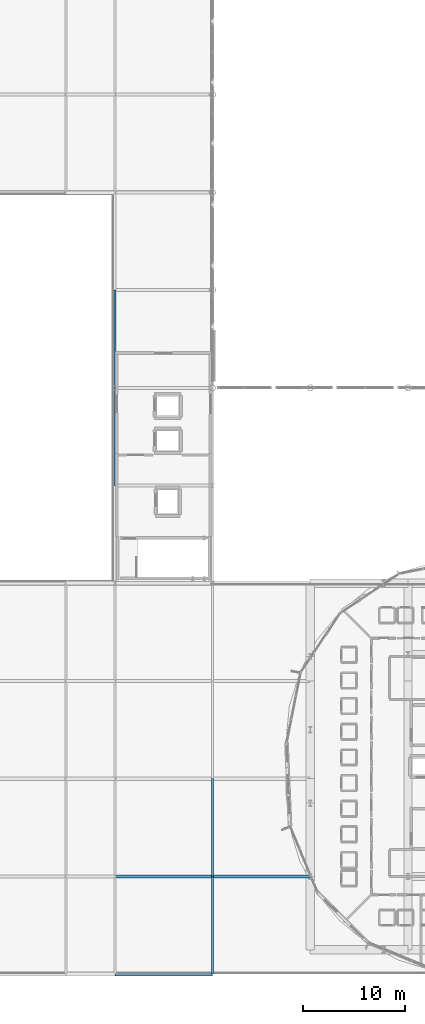
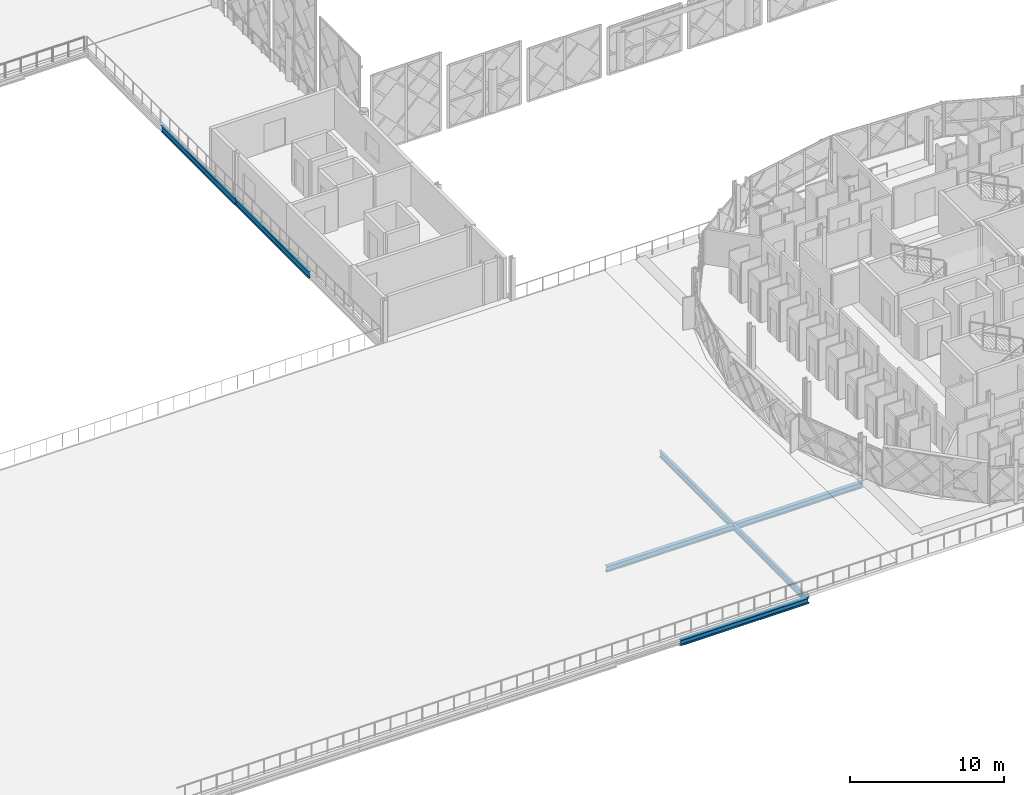
# One storey, part 9 of 53: 7 beams.
"""IFC4 building model written with IfcOpenShell, lengths in metres."""

import ifcopenshell
import ifcopenshell.guid

model = None  # the IFC model being written
_history = None  # IfcOwnerHistory: only IFC2X3 demands one
_inside = {}  # id of a spatial element -> (the spatial element, [elements in it])
_under = {}  # id of a project, library or spatial element -> (it, [spatial elements below it])
_declared = {}  # id of a project -> (the project, [libraries it declares])
_typed = {}  # id of a type object -> (the type object, [elements of that type])
_made_of = {}  # id of a material, layer set ... -> (it, [elements and type objects made of it])


def new_model(schema):
    """Start an empty IFC model of exactly this schema.

    Asked for "IFC4X3", IfcOpenShell would pick the latest addendum, in which some entities
    have other attributes; the version numbers below select the first issue.
    IFC2X3 requires an IfcOwnerHistory on every rooted entity: one is made here for all.
    """
    global model, _history
    if schema == "IFC4X3":
        model = ifcopenshell.file(schema_version=(4, 3, 0, 0))
    else:
        model = ifcopenshell.file(schema=schema)
    _inside.clear()
    _under.clear()
    _declared.clear()
    _typed.clear()
    _made_of.clear()
    _history = None
    if model.schema == "IFC2X3":
        org = make("IfcOrganization", Name="unknown")
        user = make(
            "IfcPersonAndOrganization",
            ThePerson=make("IfcPerson", FamilyName="unknown"),
            TheOrganization=org,
        )
        app = make(
            "IfcApplication",
            ApplicationDeveloper=org,
            Version="unknown",
            ApplicationFullName="unknown",
            ApplicationIdentifier="unknown",
        )
        _history = make(
            "IfcOwnerHistory",
            OwningUser=user,
            OwningApplication=app,
            ChangeAction="ADDED",
            CreationDate=0,
        )
    return model


def make(cls, **values):
    """One entity of the class cls with the attributes given. An attribute that is None is left unset."""
    return model.create_entity(
        cls, **{name: value for name, value in values.items() if value is not None}
    )


def rooted(cls, **values):
    """An entity with a GlobalId (a new one), such as an element, a storey or a relation."""
    return make(cls, GlobalId=ifcopenshell.guid.new(), OwnerHistory=_history, **values)


def si_unit(unit_type, name, prefix=None):
    """IfcSIUnit, for example si_unit("LENGTHUNIT", "METRE", prefix="MILLI")."""
    return make("IfcSIUnit", UnitType=unit_type, Prefix=prefix, Name=name)


def assignment(units):
    """IfcUnitAssignment: the units of a project."""
    return None if units is None else make("IfcUnitAssignment", Units=units)


def point(xyz):
    """IfcCartesianPoint."""
    return None if xyz is None else make("IfcCartesianPoint", Coordinates=xyz)


def direction(xyz):
    """IfcDirection."""
    return None if xyz is None else make("IfcDirection", DirectionRatios=xyz)


def frame(location, z_axis=None, x_axis=None):
    """IfcAxis2Placement3D, a coordinate frame: its origin and axes. An axis left out is left unset."""
    return make(
        "IfcAxis2Placement3D",
        Location=point(location),
        Axis=direction(z_axis),
        RefDirection=direction(x_axis),
    )


def frame_2d(location, x_axis=None):
    """IfcAxis2Placement2D, a coordinate frame in the plane: its origin and x axis."""
    return make(
        "IfcAxis2Placement2D", Location=point(location), RefDirection=direction(x_axis)
    )


def origin():
    """The frame at (0, 0, 0) with its axes left unset."""
    return frame((0.0, 0.0, 0.0))


def origin_2d():
    """The frame at (0, 0) in the plane with its x axis left unset."""
    return frame_2d((0.0, 0.0))


def place(relative_to, where):
    """IfcLocalPlacement: puts the frame where relative to a parent placement (None: the world)."""
    return make(
        "IfcLocalPlacement", PlacementRelTo=relative_to, RelativePlacement=where
    )


def context(
    kind, dimensions, precision=None, world=None, true_north=None, identifier=None
):
    """IfcGeometricRepresentationContext, for example the 3D "Model" context."""
    return make(
        "IfcGeometricRepresentationContext",
        ContextIdentifier=identifier,
        ContextType=kind,
        CoordinateSpaceDimension=dimensions,
        Precision=precision,
        WorldCoordinateSystem=world,
        TrueNorth=true_north,
    )


def subcontext(parent, identifier, kind, view, scale=None):
    """IfcGeometricRepresentationSubContext, for example "Body" below "Model"."""
    return make(
        "IfcGeometricRepresentationSubContext",
        ContextIdentifier=identifier,
        ContextType=kind,
        ParentContext=parent,
        TargetScale=scale,
        TargetView=view,
    )


def project(units=None, contexts=None):
    """IfcProject with its units and contexts."""
    return rooted(
        "IfcProject",
        Name="project",
        RepresentationContexts=contexts,
        UnitsInContext=assignment(units),
    )


def spatial(cls, under=None, at=None, **own):
    """A site, building, storey or space (cls), placed at a placement, below another one or the project."""
    s = rooted(cls, ObjectPlacement=at, **own)
    if under is not None:
        _under.setdefault(under.id(), (under, []))[1].append(s)
    return s


def profile(cls, at=None, kind="AREA", **sizes):
    """A parametric profile (cls). Its sizes go by their IFC names, for example OverallWidth=200.0."""
    return make(cls, ProfileType=kind, Position=at, **sizes)


def i_section(**sizes):
    """IfcIShapeProfileDef."""
    return profile("IfcIShapeProfileDef", **sizes)


def extrude(swept, where, along, depth):
    """IfcExtrudedAreaSolid: the profile swept, set in the frame where, extruded along a direction by depth."""
    return make(
        "IfcExtrudedAreaSolid",
        SweptArea=swept,
        Position=where,
        ExtrudedDirection=direction(along),
        Depth=depth,
    )


def shape(context_of_items, identifier, shape_type, items):
    """IfcShapeRepresentation: the items that make up one representation, for example the "Body"."""
    return make(
        "IfcShapeRepresentation",
        ContextOfItems=context_of_items,
        RepresentationIdentifier=identifier,
        RepresentationType=shape_type,
        Items=items,
    )


def material(Name=None, Category=None):
    """IfcMaterial."""
    return make("IfcMaterial", Name=Name, Category=Category)


def material_profile(
    of_material, cross_section, Name=None, Category=None, Priority=None
):
    """IfcMaterialProfile: a cross section and its material."""
    return make(
        "IfcMaterialProfile",
        Name=Name,
        Material=of_material,
        Profile=cross_section,
        Priority=Priority,
        Category=Category,
    )


def profile_set(profiles, Name=None, composite=None):
    """IfcMaterialProfileSet."""
    return make(
        "IfcMaterialProfileSet",
        Name=Name,
        MaterialProfiles=profiles,
        CompositeProfile=composite,
    )


def made_of(thing, what):
    """Note that an element or type object is made of a material, layer set ...; save() writes the relation."""
    if what is not None:
        _made_of.setdefault(what.id(), (what, []))[1].append(thing)
    return thing


def type_object(cls, material=None, **own):
    """A type object (cls), such as IfcWallType, which elements share."""
    return made_of(rooted(cls, **own), material)


def element(
    cls,
    number,
    at=None,
    inside=None,
    cuts=None,
    type_object=None,
    material=None,
    context=None,
    identifier="Body",
    shape_type=None,
    held_by="IfcProductDefinitionShape",
    body=None,
    shapes=None,
    **own,
):
    """One element of the class cls, such as IfcWall. Its Tag is "e" and its number.

    at: its placement. inside: the storey or other place that contains it. cuts: it is an
    opening in that element (IfcRelVoidsElement). A single representation is given by context,
    identifier, shape_type and body (its items); several are given by shapes. held_by: the class
    of the entity that holds the representations. save() writes the other relations.
    """
    e = rooted(cls, Tag="e%d" % number, ObjectPlacement=at, **own)
    if body is not None:
        shapes = [shape(context, identifier, shape_type, body)]
    if shapes is not None:
        e.Representation = make(held_by, Representations=shapes)
    if inside is not None:
        _inside.setdefault(inside.id(), (inside, []))[1].append(e)
    if cuts is not None:
        rooted(
            "IfcRelVoidsElement", RelatingBuildingElement=cuts, RelatedOpeningElement=e
        )
    if type_object is not None:
        _typed.setdefault(type_object.id(), (type_object, []))[1].append(e)
    return made_of(e, material)


def aggregate(whole, parts):
    """IfcRelAggregates: a whole, such as a stair, and the parts it consists of."""
    return rooted("IfcRelAggregates", RelatingObject=whole, RelatedObjects=parts)


def save(model, path):
    """Write the relations noted so far, then the file.

    IfcRelAggregates (storeys below a building ...), IfcRelContainedInSpatialStructure (elements
    in a storey), IfcRelDefinesByType, IfcRelAssociatesMaterial and IfcRelDeclares: one each for
    every whole, place, type object, material and project.
    """
    for whole, parts in _under.values():
        aggregate(whole, parts)
    for where, things in _inside.values():
        rooted(
            "IfcRelContainedInSpatialStructure",
            RelatedElements=things,
            RelatingStructure=where,
        )
    for kind, things in _typed.values():
        rooted("IfcRelDefinesByType", RelatedObjects=things, RelatingType=kind)
    for what, things in _made_of.values():
        rooted("IfcRelAssociatesMaterial", RelatedObjects=things, RelatingMaterial=what)
    for by, libraries in _declared.values():
        rooted("IfcRelDeclares", RelatingContext=by, RelatedDefinitions=libraries)
    model.write(path)


model = new_model("IFC4")

# Units and contexts
model_context = context("Model", 3, precision=1e-05, world=origin(), true_north=direction((0.0, 1.0)))
body_context = subcontext(model_context, "Body", "Model", "MODEL_VIEW")
ifc_project = project(units=[si_unit("LENGTHUNIT", "METRE"), si_unit("AREAUNIT", "SQUARE_METRE"), si_unit("VOLUMEUNIT", "CUBIC_METRE"), si_unit("PLANEANGLEUNIT", "RADIAN"), si_unit("MASSUNIT", "GRAM", prefix="KILO")], contexts=[model_context])

# Site, building, storey
site_placement = place(None, origin())
site = spatial("IfcSite", under=ifc_project, at=site_placement, CompositionType="ELEMENT")
building_placement = place(site_placement, origin())
building = spatial("IfcBuilding", under=site, at=building_placement, Name="Zevrakil Square Congress Hotel", CompositionType="ELEMENT")
storey_placement = place(building_placement, frame((0.0, 0.0, 14.699951171875)))
storey = spatial("IfcBuildingStorey", under=building, at=storey_placement, Name="L04", CompositionType="ELEMENT", Elevation=14.699951171875)

# Beams
ifc_material_1 = material(Name="Steel S355", Category="steel")
ifc_material_profile_1 = material_profile(ifc_material_1, i_section(OverallWidth=0.300048828125, OverallDepth=0.43994140625, WebThickness=0.011474609375, FlangeThickness=0.02099609375, FilletRadius=0.027099609375, at=origin_2d()), Name="HEA 450")
ifc_profile_set_1 = profile_set([ifc_material_profile_1], Name="Steel S355")
beam_type_1 = type_object("IfcBeamType", Name="BM-HEA450", PredefinedType="BEAM", material=ifc_profile_set_1)
for number, where, z_axis, x_axis, name in (
    (1, (108.0, 7.199951171875, -0.47998046875), (1.0, 0.0, 0.0), (0.0, 1.0, 0.0), "L04 primary girder BX-1198"),
    (2, (108.0, 16.800048828125, -0.47998046875), (1.0, 0.0, 0.0), (0.0, 1.0, 0.0), "L04 primary girder BX-1205"),
):
    element("IfcBeam", number, at=place(storey_placement, frame(where, z_axis=z_axis, x_axis=x_axis)), inside=storey, type_object=beam_type_1, Name=name, PredefinedType="BEAM", context=body_context, shape_type="SweptSolid", body=[
        extrude(i_section(OverallWidth=0.300048828125, OverallDepth=0.43994140625, WebThickness=0.011474609375, FlangeThickness=0.02099609375, FilletRadius=0.027099609375, at=origin_2d()), origin(), (0.0, 0.0, 1.0), 9.60009765625),
    ])
beam_1_placement = place(storey_placement, frame((117.60009765625, 16.800048828125, -0.47998046875), z_axis=(1.0, 0.0, 0.0), x_axis=(0.0, 1.0, 0.0)))
element("IfcBeam", 3, at=beam_1_placement, inside=storey, type_object=beam_type_1, Name="L04 primary girder BX-1206", PredefinedType="BEAM", context=body_context, shape_type="SweptSolid", body=[
    extrude(i_section(OverallWidth=0.300048828125, OverallDepth=0.43994140625, WebThickness=0.011474609375, FlangeThickness=0.02099609375, FilletRadius=0.027099609375, at=origin_2d()), origin(), (0.0, 0.0, 1.0), 9.599853515625),
])
ifc_material_2 = material(Name="Steel S355", Category="steel")
ifc_material_profile_2 = material_profile(ifc_material_2, i_section(OverallWidth=0.199951171875, OverallDepth=0.5, WebThickness=0.01025390625, FlangeThickness=0.01611328125, FilletRadius=0.02099609375, at=origin_2d()), Name="IPE 500")
ifc_profile_set_2 = profile_set([ifc_material_profile_2], Name="Steel S355")
beam_type_2 = type_object("IfcBeamType", Name="BM-IPE500", PredefinedType="BEAM", material=ifc_profile_set_2)
beam_2_placement = place(storey_placement, frame((108.0, 55.199951171875, -0.510009765625), z_axis=(0.0, 1.0, 0.0), x_axis=(-1.0, 0.0, 0.0)))
element("IfcBeam", 4, at=beam_2_placement, inside=storey, type_object=beam_type_2, Name="L04 primary girder BY-1335", PredefinedType="BEAM", context=body_context, shape_type="SweptSolid", body=[
    extrude(i_section(OverallWidth=0.199951171875, OverallDepth=0.5, WebThickness=0.01025390625, FlangeThickness=0.01611328125, FilletRadius=0.02099609375, at=origin_2d()), origin(), (0.0, 0.0, 1.0), 9.60009765625),
])
beam_3_placement = place(storey_placement, frame((108.0, 64.800048828125, -0.510009765625), z_axis=(0.0, 1.0, 0.0), x_axis=(-1.0, 0.0, 0.0)))
element("IfcBeam", 5, at=beam_3_placement, inside=storey, type_object=beam_type_2, Name="L04 primary girder BY-1336", PredefinedType="BEAM", context=body_context, shape_type="SweptSolid", body=[
    extrude(i_section(OverallWidth=0.199951171875, OverallDepth=0.5, WebThickness=0.01025390625, FlangeThickness=0.01611328125, FilletRadius=0.02099609375, at=origin_2d()), origin(), (0.0, 0.0, 1.0), 9.599853515625),
])
beam_4_placement = place(storey_placement, frame((117.60009765625, 7.199951171875, -0.510009765625), z_axis=(0.0, 1.0, 0.0), x_axis=(-1.0, 0.0, 0.0)))
element("IfcBeam", 6, at=beam_4_placement, inside=storey, type_object=beam_type_2, Name="L04 primary girder BY-1341", PredefinedType="BEAM", context=body_context, shape_type="SweptSolid", body=[
    extrude(i_section(OverallWidth=0.199951171875, OverallDepth=0.5, WebThickness=0.01025390625, FlangeThickness=0.01611328125, FilletRadius=0.02099609375, at=origin_2d()), origin(), (0.0, 0.0, 1.0), 9.60009765625),
])
beam_5_placement = place(storey_placement, frame((117.60009765625, 16.800048828125, -0.510009765625), z_axis=(0.0, 1.0, 0.0), x_axis=(-1.0, 0.0, 0.0)))
element("IfcBeam", 7, at=beam_5_placement, inside=storey, type_object=beam_type_2, Name="L04 primary girder BY-1342", PredefinedType="BEAM", context=body_context, shape_type="SweptSolid", body=[
    extrude(i_section(OverallWidth=0.199951171875, OverallDepth=0.5, WebThickness=0.01025390625, FlangeThickness=0.01611328125, FilletRadius=0.02099609375, at=origin_2d()), origin(), (0.0, 0.0, 1.0), 9.599853515625),
])

save(model, "model.ifc")
